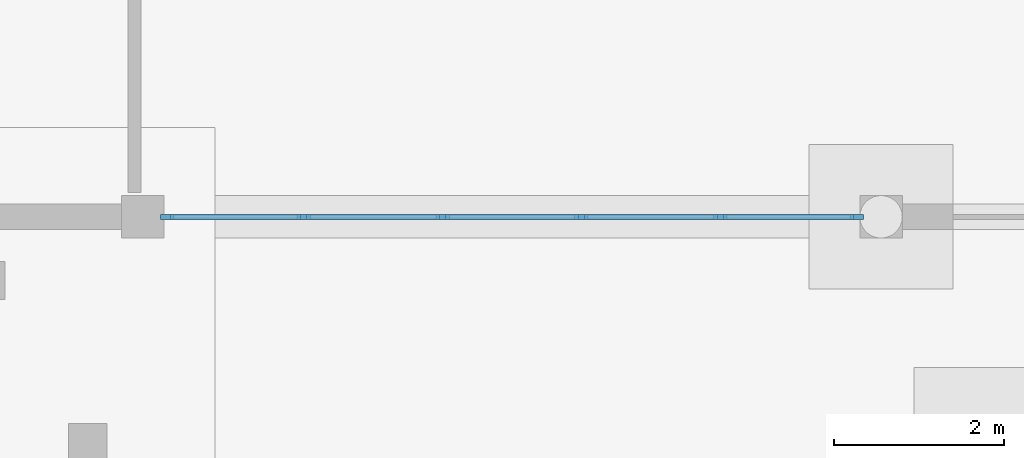
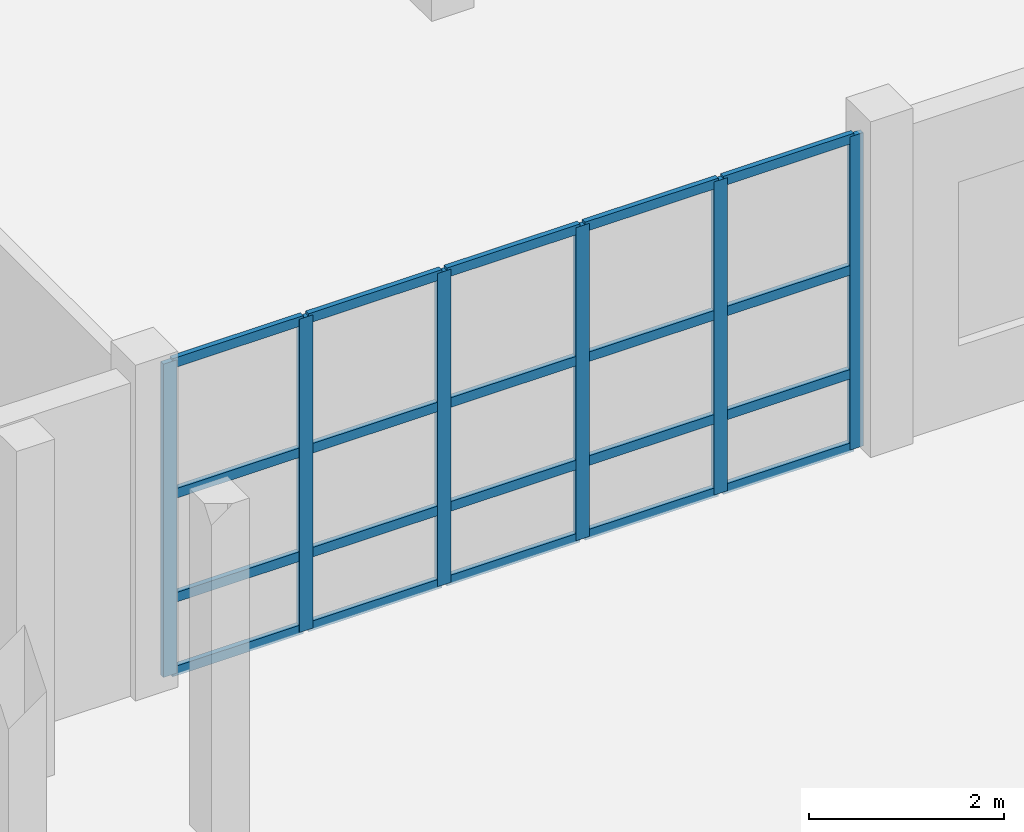
# One storey, part 38 of 88: 26 members, 1 element without a shape of its own.
"""IFC4 building model written with IfcOpenShell, lengths in metres."""

from ifc_helpers import new_model, si_unit, direction, frame, origin, origin_2d, place, context, subcontext, project, spatial, rectangle, extrude, material, material_profile, profile_set, type_object, element, aggregate, save


model = new_model("IFC4")

# Units and contexts
model_context = context("Model", 3, precision=1e-05, world=origin(), true_north=direction((0.0, 1.0)))
body_context = subcontext(model_context, "Body", "Model", "MODEL_VIEW")
ifc_project = project(units=[si_unit("LENGTHUNIT", "METRE"), si_unit("AREAUNIT", "SQUARE_METRE"), si_unit("VOLUMEUNIT", "CUBIC_METRE"), si_unit("PLANEANGLEUNIT", "RADIAN"), si_unit("MASSUNIT", "GRAM", prefix="KILO")], contexts=[model_context])

# Site, building, storey
site_placement = place(None, origin())
site = spatial("IfcSite", under=ifc_project, at=site_placement, CompositionType="ELEMENT")
building_placement = place(site_placement, origin())
building = spatial("IfcBuilding", under=site, at=building_placement, Name="Vanh Quang Courtyard School", CompositionType="ELEMENT")
storey_placement = place(building_placement, origin())
storey = spatial("IfcBuildingStorey", under=building, at=storey_placement, Name="L00", CompositionType="ELEMENT", Elevation=0.0)

# Curtain wall, members
ifc_material_1 = material(Name="Thermally broken aluminium unitised curtain wall", Category="aluminium")
curtain_wall_type = type_object("IfcCurtainWallType", Name="CW-SYS-05", PredefinedType="NOTDEFINED", material=ifc_material_1)
curtain_wall_placement = place(storey_placement, origin())
curtain_wall = element("IfcCurtainWall", 1, at=curtain_wall_placement, inside=storey, type_object=curtain_wall_type, Name="Curtain Wall CW-05 (L00)", PredefinedType="NOTDEFINED")
ifc_material_2 = material(Name="Anodised aluminium 6063-T6", Category="aluminium")
ifc_material_profile_1 = material_profile(ifc_material_2, rectangle(XDim=0.06005859375, YDim=0.159912109375, at=origin_2d()), Name="ALU-MUL 60x160")
ifc_profile_set_1 = profile_set([ifc_material_profile_1], Name="Anodised aluminium 6063-T6")
member_type_1 = type_object("IfcMemberType", Name="CW-MUL-60x160", PredefinedType="MULLION", material=ifc_profile_set_1)
member_1_placement = place(storey_placement, frame((136.912109375, 41.39990234375, 0.0), z_axis=(0.0, 0.0, 1.0), x_axis=(0.0, -1.0, 0.0)))
member_1 = element("IfcMember", 2, at=member_1_placement, type_object=member_type_1, Name="CW-05 mullion 1", PredefinedType="MULLION", context=body_context, shape_type="SweptSolid", body=[
    extrude(rectangle(XDim=0.06005859375, YDim=0.159912109375, at=origin_2d()), origin(), (0.0, 0.0, 1.0), 3.919921875),
])
member_2_placement = place(storey_placement, frame((135.30517578125, 41.39990234375, 0.0), z_axis=(0.0, 0.0, 1.0), x_axis=(0.0, -1.0, 0.0)))
member_2 = element("IfcMember", 3, at=member_2_placement, type_object=member_type_1, Name="CW-05 mullion 2", PredefinedType="MULLION", context=body_context, shape_type="SweptSolid", body=[
    extrude(rectangle(XDim=0.06005859375, YDim=0.159912109375, at=origin_2d()), origin(), (0.0, 0.0, 1.0), 3.919921875),
])
member_3_placement = place(storey_placement, frame((133.66845703125, 41.39990234375, 0.0), z_axis=(0.0, 0.0, 1.0), x_axis=(0.0, -1.0, 0.0)))
member_3 = element("IfcMember", 4, at=member_3_placement, type_object=member_type_1, Name="CW-05 mullion 3", PredefinedType="MULLION", context=body_context, shape_type="SweptSolid", body=[
    extrude(rectangle(XDim=0.06005859375, YDim=0.159912109375, at=origin_2d()), origin(), (0.0, 0.0, 1.0), 3.919921875),
])
member_4_placement = place(storey_placement, frame((132.031494140625, 41.39990234375, 0.0), z_axis=(0.0, 0.0, 1.0), x_axis=(0.0, -1.0, 0.0)))
member_4 = element("IfcMember", 5, at=member_4_placement, type_object=member_type_1, Name="CW-05 mullion 4", PredefinedType="MULLION", context=body_context, shape_type="SweptSolid", body=[
    extrude(rectangle(XDim=0.06005859375, YDim=0.159912109375, at=origin_2d()), origin(), (0.0, 0.0, 1.0), 3.919921875),
])
member_5_placement = place(storey_placement, frame((130.394775390625, 41.39990234375, 0.0), z_axis=(0.0, 0.0, 1.0), x_axis=(0.0, -1.0, 0.0)))
member_5 = element("IfcMember", 6, at=member_5_placement, type_object=member_type_1, Name="CW-05 mullion 5", PredefinedType="MULLION", context=body_context, shape_type="SweptSolid", body=[
    extrude(rectangle(XDim=0.06005859375, YDim=0.159912109375, at=origin_2d()), origin(), (0.0, 0.0, 1.0), 3.919921875),
])
member_6_placement = place(storey_placement, frame((128.7880859375, 41.39990234375, 0.0), z_axis=(0.0, 0.0, 1.0), x_axis=(0.0, -1.0, 0.0)))
member_6 = element("IfcMember", 7, at=member_6_placement, type_object=member_type_1, Name="CW-05 mullion 6", PredefinedType="MULLION", context=body_context, shape_type="SweptSolid", body=[
    extrude(rectangle(XDim=0.06005859375, YDim=0.159912109375, at=origin_2d()), origin(), (0.0, 0.0, 1.0), 3.919921875),
])
ifc_material_profile_2 = material_profile(ifc_material_2, rectangle(XDim=0.06005859375, YDim=0.1201171875, at=origin_2d()), Name="ALU-TRN 60x120")
ifc_profile_set_2 = profile_set([ifc_material_profile_2], Name="Anodised aluminium 6063-T6")
member_type_2 = type_object("IfcMemberType", Name="CW-TRN-60x120", PredefinedType="USERDEFINED", material=ifc_profile_set_2)
member_7_placement = place(storey_placement, frame((136.882080078125, 41.39990234375, 0.030029296875), z_axis=(-1.0, 0.0, 0.0), x_axis=(0.0, -1.0, 0.0)))
member_7 = element("IfcMember", 8, at=member_7_placement, type_object=member_type_2, Name="CW-05 transom 1.1", ObjectType="TRANSOM", PredefinedType="USERDEFINED", context=body_context, shape_type="SweptSolid", body=[
    extrude(rectangle(XDim=0.06005859375, YDim=0.1201171875, at=origin_2d()), origin(), (0.0, 0.0, 1.0), 1.546875),
])
member_8_placement = place(storey_placement, frame((136.882080078125, 41.39990234375, 0.949951171875), z_axis=(-1.0, 0.0, 0.0), x_axis=(0.0, -1.0, 0.0)))
member_8 = element("IfcMember", 9, at=member_8_placement, type_object=member_type_2, Name="CW-05 transom 1.2", ObjectType="TRANSOM", PredefinedType="USERDEFINED", context=body_context, shape_type="SweptSolid", body=[
    extrude(rectangle(XDim=0.06005859375, YDim=0.1201171875, at=origin_2d()), origin(), (0.0, 0.0, 1.0), 1.546875),
])
member_9_placement = place(storey_placement, frame((136.882080078125, 41.39990234375, 2.25), z_axis=(-1.0, 0.0, 0.0), x_axis=(0.0, -1.0, 0.0)))
member_9 = element("IfcMember", 10, at=member_9_placement, type_object=member_type_2, Name="CW-05 transom 1.3", ObjectType="TRANSOM", PredefinedType="USERDEFINED", context=body_context, shape_type="SweptSolid", body=[
    extrude(rectangle(XDim=0.06005859375, YDim=0.1201171875, at=origin_2d()), origin(), (0.0, 0.0, 1.0), 1.546875),
])
member_10_placement = place(storey_placement, frame((136.882080078125, 41.39990234375, 3.889892578125), z_axis=(-1.0, 0.0, 0.0), x_axis=(0.0, -1.0, 0.0)))
member_10 = element("IfcMember", 11, at=member_10_placement, type_object=member_type_2, Name="CW-05 transom 1.4", ObjectType="TRANSOM", PredefinedType="USERDEFINED", context=body_context, shape_type="SweptSolid", body=[
    extrude(rectangle(XDim=0.06005859375, YDim=0.1201171875, at=origin_2d()), origin(), (0.0, 0.0, 1.0), 1.546875),
])
member_11_placement = place(storey_placement, frame((135.275146484375, 41.39990234375, 0.030029296875), z_axis=(-1.0, 0.0, 0.0), x_axis=(0.0, -1.0, 0.0)))
member_11 = element("IfcMember", 12, at=member_11_placement, type_object=member_type_2, Name="CW-05 transom 2.1", ObjectType="TRANSOM", PredefinedType="USERDEFINED", context=body_context, shape_type="SweptSolid", body=[
    extrude(rectangle(XDim=0.06005859375, YDim=0.1201171875, at=origin_2d()), origin(), (0.0, 0.0, 1.0), 1.57666015625),
])
member_12_placement = place(storey_placement, frame((135.275146484375, 41.39990234375, 0.949951171875), z_axis=(-1.0, 0.0, 0.0), x_axis=(0.0, -1.0, 0.0)))
member_12 = element("IfcMember", 13, at=member_12_placement, type_object=member_type_2, Name="CW-05 transom 2.2", ObjectType="TRANSOM", PredefinedType="USERDEFINED", context=body_context, shape_type="SweptSolid", body=[
    extrude(rectangle(XDim=0.06005859375, YDim=0.1201171875, at=origin_2d()), origin(), (0.0, 0.0, 1.0), 1.57666015625),
])
member_13_placement = place(storey_placement, frame((135.275146484375, 41.39990234375, 2.25), z_axis=(-1.0, 0.0, 0.0), x_axis=(0.0, -1.0, 0.0)))
member_13 = element("IfcMember", 14, at=member_13_placement, type_object=member_type_2, Name="CW-05 transom 2.3", ObjectType="TRANSOM", PredefinedType="USERDEFINED", context=body_context, shape_type="SweptSolid", body=[
    extrude(rectangle(XDim=0.06005859375, YDim=0.1201171875, at=origin_2d()), origin(), (0.0, 0.0, 1.0), 1.57666015625),
])
member_14_placement = place(storey_placement, frame((135.275146484375, 41.39990234375, 3.889892578125), z_axis=(-1.0, 0.0, 0.0), x_axis=(0.0, -1.0, 0.0)))
member_14 = element("IfcMember", 15, at=member_14_placement, type_object=member_type_2, Name="CW-05 transom 2.4", ObjectType="TRANSOM", PredefinedType="USERDEFINED", context=body_context, shape_type="SweptSolid", body=[
    extrude(rectangle(XDim=0.06005859375, YDim=0.1201171875, at=origin_2d()), origin(), (0.0, 0.0, 1.0), 1.57666015625),
])
member_15_placement = place(storey_placement, frame((133.638427734375, 41.39990234375, 0.030029296875), z_axis=(-1.0, 0.0, 0.0), x_axis=(0.0, -1.0, 0.0)))
member_15 = element("IfcMember", 16, at=member_15_placement, type_object=member_type_2, Name="CW-05 transom 3.1", ObjectType="TRANSOM", PredefinedType="USERDEFINED", context=body_context, shape_type="SweptSolid", body=[
    extrude(rectangle(XDim=0.06005859375, YDim=0.1201171875, at=origin_2d()), origin(), (0.0, 0.0, 1.0), 1.576904296875),
])
member_16_placement = place(storey_placement, frame((133.638427734375, 41.39990234375, 0.949951171875), z_axis=(-1.0, 0.0, 0.0), x_axis=(0.0, -1.0, 0.0)))
member_16 = element("IfcMember", 17, at=member_16_placement, type_object=member_type_2, Name="CW-05 transom 3.2", ObjectType="TRANSOM", PredefinedType="USERDEFINED", context=body_context, shape_type="SweptSolid", body=[
    extrude(rectangle(XDim=0.06005859375, YDim=0.1201171875, at=origin_2d()), origin(), (0.0, 0.0, 1.0), 1.576904296875),
])
member_17_placement = place(storey_placement, frame((133.638427734375, 41.39990234375, 2.25), z_axis=(-1.0, 0.0, 0.0), x_axis=(0.0, -1.0, 0.0)))
member_17 = element("IfcMember", 18, at=member_17_placement, type_object=member_type_2, Name="CW-05 transom 3.3", ObjectType="TRANSOM", PredefinedType="USERDEFINED", context=body_context, shape_type="SweptSolid", body=[
    extrude(rectangle(XDim=0.06005859375, YDim=0.1201171875, at=origin_2d()), origin(), (0.0, 0.0, 1.0), 1.576904296875),
])
member_18_placement = place(storey_placement, frame((133.638427734375, 41.39990234375, 3.889892578125), z_axis=(-1.0, 0.0, 0.0), x_axis=(0.0, -1.0, 0.0)))
member_18 = element("IfcMember", 19, at=member_18_placement, type_object=member_type_2, Name="CW-05 transom 3.4", ObjectType="TRANSOM", PredefinedType="USERDEFINED", context=body_context, shape_type="SweptSolid", body=[
    extrude(rectangle(XDim=0.06005859375, YDim=0.1201171875, at=origin_2d()), origin(), (0.0, 0.0, 1.0), 1.576904296875),
])
member_19_placement = place(storey_placement, frame((132.001708984375, 41.39990234375, 0.030029296875), z_axis=(-1.0, 0.0, 0.0), x_axis=(0.0, -1.0, 0.0)))
member_19 = element("IfcMember", 20, at=member_19_placement, type_object=member_type_2, Name="CW-05 transom 4.1", ObjectType="TRANSOM", PredefinedType="USERDEFINED", context=body_context, shape_type="SweptSolid", body=[
    extrude(rectangle(XDim=0.06005859375, YDim=0.1201171875, at=origin_2d()), origin(), (0.0, 0.0, 1.0), 1.576904296875),
])
member_20_placement = place(storey_placement, frame((132.001708984375, 41.39990234375, 0.949951171875), z_axis=(-1.0, 0.0, 0.0), x_axis=(0.0, -1.0, 0.0)))
member_20 = element("IfcMember", 21, at=member_20_placement, type_object=member_type_2, Name="CW-05 transom 4.2", ObjectType="TRANSOM", PredefinedType="USERDEFINED", context=body_context, shape_type="SweptSolid", body=[
    extrude(rectangle(XDim=0.06005859375, YDim=0.1201171875, at=origin_2d()), origin(), (0.0, 0.0, 1.0), 1.576904296875),
])
member_21_placement = place(storey_placement, frame((132.001708984375, 41.39990234375, 2.25), z_axis=(-1.0, 0.0, 0.0), x_axis=(0.0, -1.0, 0.0)))
member_21 = element("IfcMember", 22, at=member_21_placement, type_object=member_type_2, Name="CW-05 transom 4.3", ObjectType="TRANSOM", PredefinedType="USERDEFINED", context=body_context, shape_type="SweptSolid", body=[
    extrude(rectangle(XDim=0.06005859375, YDim=0.1201171875, at=origin_2d()), origin(), (0.0, 0.0, 1.0), 1.576904296875),
])
member_22_placement = place(storey_placement, frame((132.001708984375, 41.39990234375, 3.889892578125), z_axis=(-1.0, 0.0, 0.0), x_axis=(0.0, -1.0, 0.0)))
member_22 = element("IfcMember", 23, at=member_22_placement, type_object=member_type_2, Name="CW-05 transom 4.4", ObjectType="TRANSOM", PredefinedType="USERDEFINED", context=body_context, shape_type="SweptSolid", body=[
    extrude(rectangle(XDim=0.06005859375, YDim=0.1201171875, at=origin_2d()), origin(), (0.0, 0.0, 1.0), 1.576904296875),
])
member_23_placement = place(storey_placement, frame((130.36474609375, 41.39990234375, 0.030029296875), z_axis=(-1.0, 0.0, 0.0), x_axis=(0.0, -1.0, 0.0)))
member_23 = element("IfcMember", 24, at=member_23_placement, type_object=member_type_2, Name="CW-05 transom 5.1", ObjectType="TRANSOM", PredefinedType="USERDEFINED", context=body_context, shape_type="SweptSolid", body=[
    extrude(rectangle(XDim=0.06005859375, YDim=0.1201171875, at=origin_2d()), origin(), (0.0, 0.0, 1.0), 1.546630859375),
])
member_24_placement = place(storey_placement, frame((130.36474609375, 41.39990234375, 0.949951171875), z_axis=(-1.0, 0.0, 0.0), x_axis=(0.0, -1.0, 0.0)))
member_24 = element("IfcMember", 25, at=member_24_placement, type_object=member_type_2, Name="CW-05 transom 5.2", ObjectType="TRANSOM", PredefinedType="USERDEFINED", context=body_context, shape_type="SweptSolid", body=[
    extrude(rectangle(XDim=0.06005859375, YDim=0.1201171875, at=origin_2d()), origin(), (0.0, 0.0, 1.0), 1.546630859375),
])
member_25_placement = place(storey_placement, frame((130.36474609375, 41.39990234375, 2.25), z_axis=(-1.0, 0.0, 0.0), x_axis=(0.0, -1.0, 0.0)))
member_25 = element("IfcMember", 26, at=member_25_placement, type_object=member_type_2, Name="CW-05 transom 5.3", ObjectType="TRANSOM", PredefinedType="USERDEFINED", context=body_context, shape_type="SweptSolid", body=[
    extrude(rectangle(XDim=0.06005859375, YDim=0.1201171875, at=origin_2d()), origin(), (0.0, 0.0, 1.0), 1.546630859375),
])
member_26_placement = place(storey_placement, frame((130.36474609375, 41.39990234375, 3.889892578125), z_axis=(-1.0, 0.0, 0.0), x_axis=(0.0, -1.0, 0.0)))
member_26 = element("IfcMember", 27, at=member_26_placement, type_object=member_type_2, Name="CW-05 transom 5.4", ObjectType="TRANSOM", PredefinedType="USERDEFINED", context=body_context, shape_type="SweptSolid", body=[
    extrude(rectangle(XDim=0.06005859375, YDim=0.1201171875, at=origin_2d()), origin(), (0.0, 0.0, 1.0), 1.546630859375),
])
aggregate(curtain_wall, [member_1, member_2, member_3, member_4, member_5, member_6, member_7, member_8, member_9, member_10, member_11, member_12, member_13, member_14, member_15, member_16, member_17, member_18, member_19, member_20, member_21, member_22, member_23, member_24, member_25, member_26])

save(model, "model.ifc")
